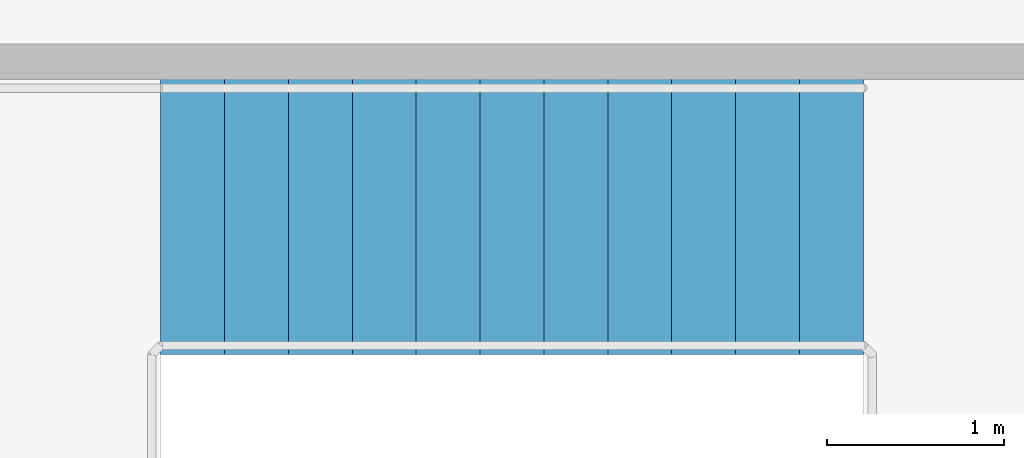
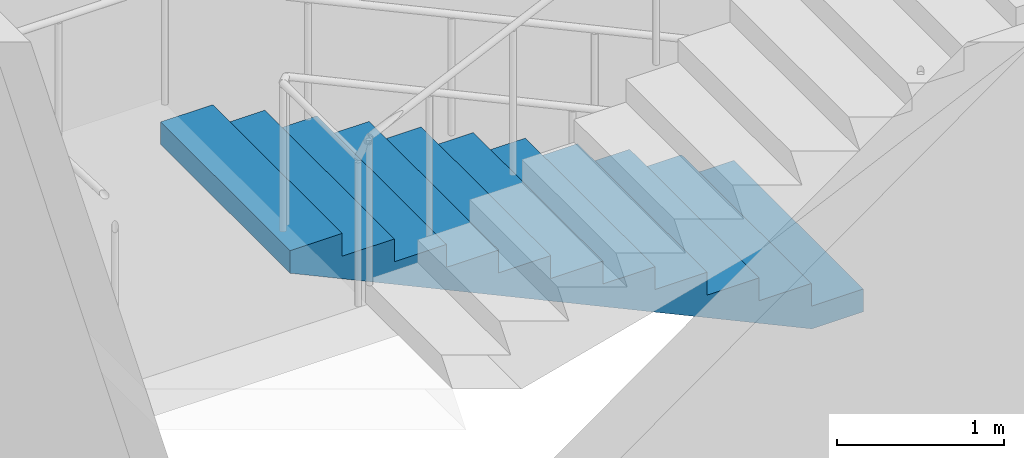
# One storey, part 10 of 11: 1 stair flight, 1 element without a shape of its own.
"""IFC4 building model written with IfcOpenShell, lengths in metres."""

from ifc_helpers import new_model, si_unit, direction, frame, origin, place, context, subcontext, project, spatial, polyline, outline, extrude, material, type_object, element, aggregate, save


model = new_model("IFC4")

# Units and contexts
model_context = context("Model", 3, precision=1e-05, world=origin(), true_north=direction((0.0, 1.0)))
body_context = subcontext(model_context, "Body", "Model", "MODEL_VIEW")
ifc_project = project(units=[si_unit("LENGTHUNIT", "METRE"), si_unit("AREAUNIT", "SQUARE_METRE"), si_unit("VOLUMEUNIT", "CUBIC_METRE"), si_unit("PLANEANGLEUNIT", "RADIAN"), si_unit("MASSUNIT", "GRAM", prefix="KILO")], contexts=[model_context])

# Site, building, storey
site_placement = place(None, origin())
site = spatial("IfcSite", under=ifc_project, at=site_placement, CompositionType="ELEMENT")
building_placement = place(site_placement, origin())
building = spatial("IfcBuilding", under=site, at=building_placement, Name="Kemantara Hotel Tower", CompositionType="ELEMENT")
storey_placement = place(building_placement, frame((0.0, 0.0, 326.199951171875)))
storey = spatial("IfcBuildingStorey", under=building, at=storey_placement, Name="L82", CompositionType="ELEMENT", Elevation=326.199951171875)

# Stair, stair flight
ifc_material = material(Name="Concrete fc 40 MPa", Category="concrete")
stair_type = type_object("IfcStairType", Name="Stair 1550 wide 24 risers of 167 x 360 mm", PredefinedType="HALF_TURN_STAIR", material=ifc_material)
stair_placement = place(storey_placement, origin())
stair = element("IfcStair", 1, at=stair_placement, inside=storey, type_object=stair_type, Name="L82 Exit stair ST4", PredefinedType="HALF_TURN_STAIR")
stair_flight_type = type_object("IfcStairFlightType", Name="Stair flight 1550 wide 167 x 360 mm", PredefinedType="STRAIGHT", material=ifc_material)
stair_flight_placement = place(storey_placement, frame((7.949951171875, 61.22509765625, 0.0), z_axis=(0.0, 0.0, 1.0), x_axis=(-1.0, 0.0, 0.0)))
stair_flight = element("IfcStairFlight", 2, at=stair_flight_placement, type_object=stair_flight_type, Name="ST4 flight 1", NumberOfRisers=12, NumberOfTreads=11, PredefinedType="STRAIGHT", RiserHeight=0.166666667, TreadLength=0.36, context=body_context, shape_type="SweptSolid", body=[
    extrude(outline(polyline([(0.0, 0.0), (0.0, 0.166748046875), (0.360107421875, 0.166748046875), (0.360107421875, 0.333251953125), (0.719970703125, 0.333251953125), (0.719970703125, 0.5), (1.080078125, 0.5), (1.080078125, 0.666748046875), (1.43994140625, 0.666748046875), (1.43994140625, 0.833251953125), (1.800048828125, 0.833251953125), (1.800048828125, 1.0), (2.159912109375, 1.0), (2.159912109375, 1.166748046875), (2.52001953125, 1.166748046875), (2.52001953125, 1.333251953125), (2.8798828125, 1.333251953125), (2.8798828125, 1.5), (3.239990234375, 1.5), (3.239990234375, 1.666748046875), (3.60009765625, 1.666748046875), (3.60009765625, 1.833251953125), (3.9599609375, 1.833251953125), (3.9599609375, 2.0), (3.9599609375, 1.668212890625), (0.356689453125, 0.0), (0.0, 0.0)])), frame((0.0, 0.77490234375, 0.0), z_axis=(0.0, -1.0, 0.0), x_axis=(1.0, 0.0, 0.0)), (0.0, 0.0, 1.0), 1.550048828125),
])
aggregate(stair, [stair_flight])

save(model, "model.ifc")
